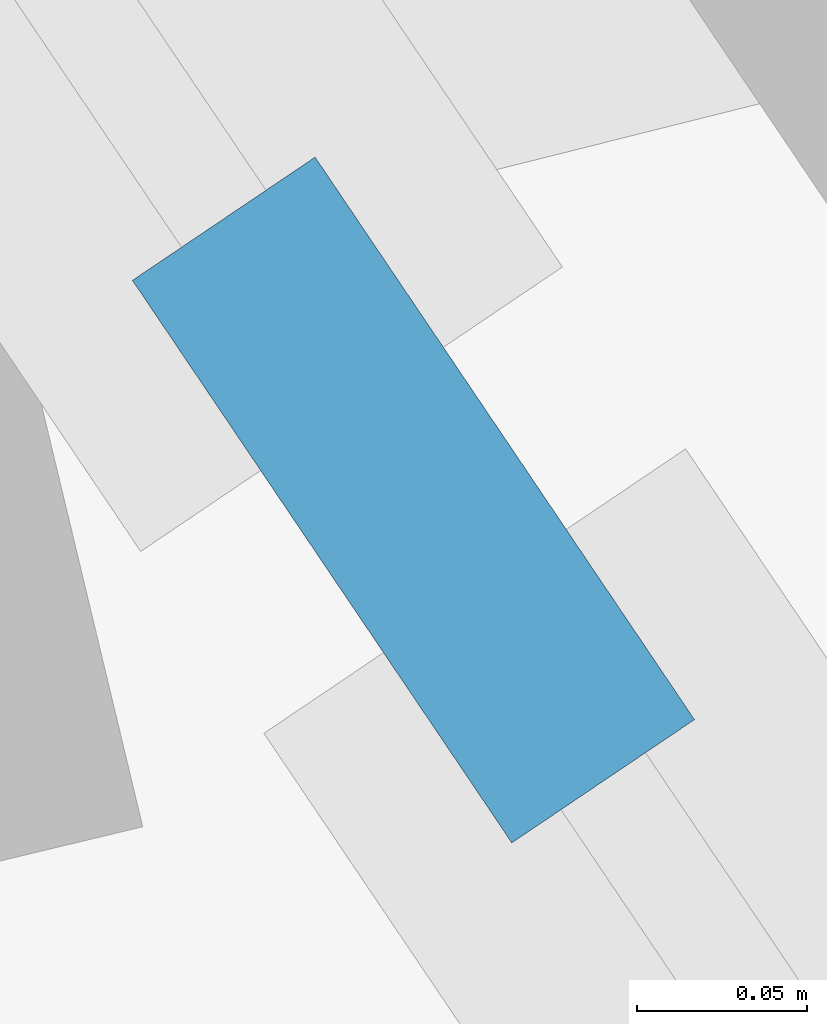
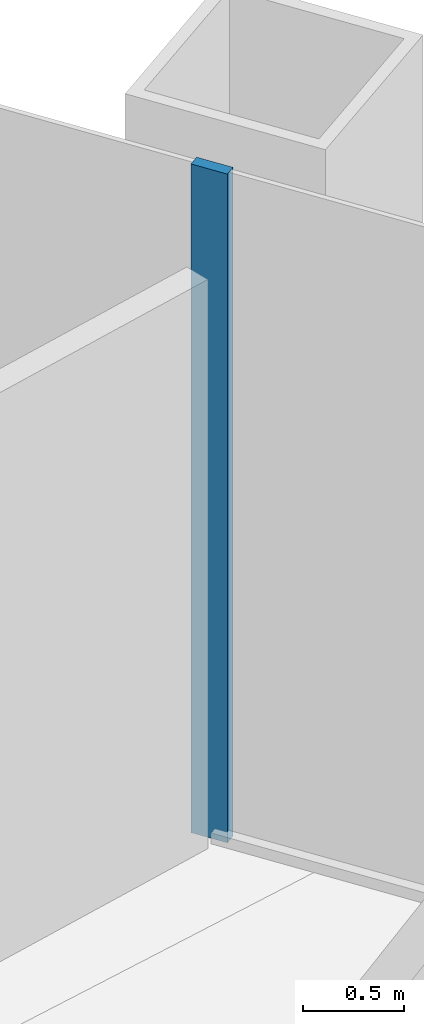
# One storey, part 5 of 13: 1 member, 1 element without a shape of its own.
"""IFC4 building model written with IfcOpenShell, lengths in metres."""

from ifc_helpers import new_model, si_unit, direction, frame, origin, origin_2d, place, context, subcontext, project, spatial, rectangle, extrude, material, material_profile, profile_set, type_object, element, aggregate, save


model = new_model("IFC4")

# Units and contexts
model_context = context("Model", 3, precision=1e-05, world=origin(), true_north=direction((0.0, 1.0)))
body_context = subcontext(model_context, "Body", "Model", "MODEL_VIEW")
ifc_project = project(units=[si_unit("LENGTHUNIT", "METRE"), si_unit("AREAUNIT", "SQUARE_METRE"), si_unit("VOLUMEUNIT", "CUBIC_METRE"), si_unit("PLANEANGLEUNIT", "RADIAN"), si_unit("MASSUNIT", "GRAM", prefix="KILO")], contexts=[model_context])

# Site, building, storey
site_placement = place(None, origin())
site = spatial("IfcSite", under=ifc_project, at=site_placement, CompositionType="ELEMENT")
building_placement = place(site_placement, origin())
building = spatial("IfcBuilding", under=site, at=building_placement, Name="Qingtian Harvest Tower", CompositionType="ELEMENT")
storey_placement = place(building_placement, frame((0.0, 0.0, 209.800048828125)))
storey = spatial("IfcBuildingStorey", under=building, at=storey_placement, Name="L45", CompositionType="ELEMENT", Elevation=209.800048828125)

# Curtain wall, member
ifc_material_1 = material(Name="Bronze-anodised aluminium curtain wall", Category="aluminium")
curtain_wall_type = type_object("IfcCurtainWallType", Name="Curtain wall CW4 office", PredefinedType="USERDEFINED", material=ifc_material_1)
curtain_wall_placement = place(storey_placement, origin())
curtain_wall = element("IfcCurtainWall", 1, at=curtain_wall_placement, inside=storey, type_object=curtain_wall_type, Name="Curtain wall CW4 L45 NE0-5", ObjectType="RECESSED CURTAIN WALL", PredefinedType="USERDEFINED")
ifc_material_2 = material(Name="Bronze-anodised aluminium mullion", Category="aluminium")
ifc_material_profile = material_profile(ifc_material_2, rectangle(XDim=0.06494140625, YDim=0.199951171875, at=origin_2d()), Name="AL 65x200")
ifc_profile_set = profile_set([ifc_material_profile], Name="Bronze-anodised aluminium mullion")
member_type = type_object("IfcMemberType", Name="Mullion CWM 65x200", PredefinedType="MULLION", material=ifc_profile_set)
member_placement = place(storey_placement, frame((23.150390625, 5.55712890625, 0.0), z_axis=(0.0, 0.0, 1.0), x_axis=(0.829037572555, 0.559192903471, 0.0)))
member = element("IfcMember", 2, at=member_placement, type_object=member_type, Name="CW4 mullion 6", PredefinedType="MULLION", context=body_context, shape_type="SweptSolid", body=[
    extrude(rectangle(XDim=0.06494140625, YDim=0.199951171875, at=origin_2d()), origin(), (0.0, 0.0, 1.0), 4.030029296875),
])
aggregate(curtain_wall, [member])

save(model, "model.ifc")
